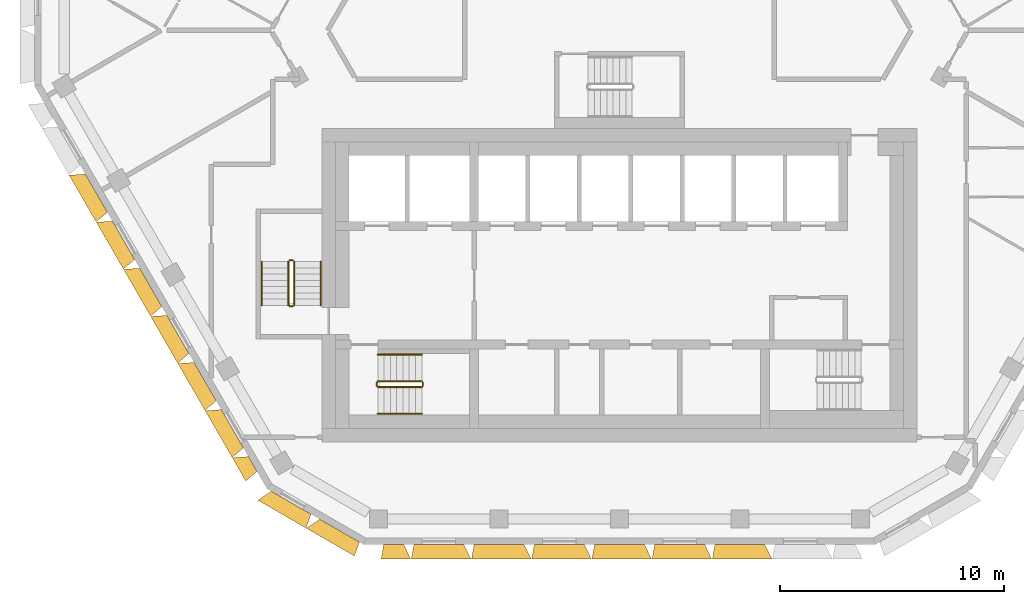
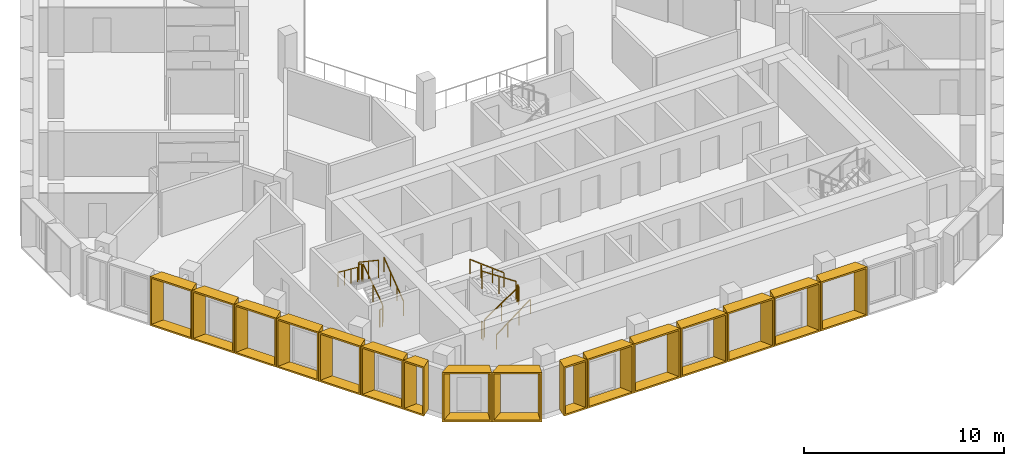
# One storey, part 11 of 15: 16 shading devices, 12 railings.
"""IFC4 building model written with IfcOpenShell, lengths in metres."""

from ifc_helpers import new_model, entity, si_unit, direction, frame, origin, origin_2d, place, context, subcontext, project, spatial, rectangle, extrude, source, transform, mapped, material, type_object, type_shapes, element, save


model = new_model("IFC4")

# Units and contexts
model_context = context("Model", 3, precision=1e-05, world=origin(), true_north=direction((0.0, 1.0)))
body_context = subcontext(model_context, "Body", "Model", "MODEL_VIEW")
ifc_project = project(units=[si_unit("LENGTHUNIT", "METRE"), si_unit("AREAUNIT", "SQUARE_METRE"), si_unit("VOLUMEUNIT", "CUBIC_METRE"), si_unit("PLANEANGLEUNIT", "RADIAN"), si_unit("MASSUNIT", "GRAM", prefix="KILO")], contexts=[model_context])

# Site, building, storey
site_placement = place(None, origin())
site = spatial("IfcSite", under=ifc_project, at=site_placement, CompositionType="ELEMENT")
building_placement = place(site_placement, origin())
building = spatial("IfcBuilding", under=site, at=building_placement, Name="Beryl Residences", CompositionType="ELEMENT")
storey_placement = place(building_placement, frame((0.0, 0.0, 187.199951171875)))
storey = spatial("IfcBuildingStorey", under=building, at=storey_placement, Name="L57", CompositionType="ELEMENT", Elevation=187.199951171875)

# Shading devices
ifc_material_1 = material(Name="Aluminium pale anodised", Category="aluminium")
shading_device_type_1 = type_object("IfcShadingDeviceType", Name="FR122-65B OUTER SKIN frame 650 mm deep, splay 26/10 deg, 1220 x 3000 mm cell", PredefinedType="USERDEFINED", material=ifc_material_1)
cartesian_point_1 = entity("IfcCartesianPoint", [-0.384033203125, 0.0])
cartesian_point_2 = entity("IfcCartesianPoint", [-0.294921875, 0.10009765625])
cartesian_point_3 = entity("IfcCartesianPoint", [-0.700927734375, 0.0])
cartesian_point_4 = entity("IfcCartesianPoint", [-0.612060546875, 0.10009765625])
shared_shape_1 = source(origin(), body_context, "Body", "SweptSolid", [
    entity("IfcExtrudedAreaSolidTapered", entity("IfcArbitraryProfileDefWithVoids", "AREA", None, entity("IfcPolyline", [cartesian_point_1, entity("IfcCartesianPoint", [0.384033203125, 0.0]), entity("IfcCartesianPoint", [0.384033203125, 3.0]), entity("IfcCartesianPoint", [-0.384033203125, 3.0]), cartesian_point_1]), [entity("IfcPolyline", [cartesian_point_2, entity("IfcCartesianPoint", [0.302734375, 0.10009765625]), entity("IfcCartesianPoint", [0.302734375, 2.89990234375]), entity("IfcCartesianPoint", [-0.294921875, 2.89990234375]), cartesian_point_2])]), entity("IfcAxis2Placement3D", entity("IfcCartesianPoint", [0.0, 0.0, 0.0]), entity("IfcDirection", [0.0, 1.0, 0.0]), entity("IfcDirection", [-1.0, 0.0, 0.0])), entity("IfcDirection", [0.0, 0.0, 1.0]), 0.64990234375, entity("IfcArbitraryProfileDefWithVoids", "AREA", None, entity("IfcPolyline", [cartesian_point_3, entity("IfcCartesianPoint", [0.49853515625, 0.0]), entity("IfcCartesianPoint", [0.49853515625, 3.0]), entity("IfcCartesianPoint", [-0.700927734375, 3.0]), cartesian_point_3]), [entity("IfcPolyline", [cartesian_point_4, entity("IfcCartesianPoint", [0.41748046875, 0.10009765625]), entity("IfcCartesianPoint", [0.41748046875, 2.89990234375]), entity("IfcCartesianPoint", [-0.612060546875, 2.89990234375]), cartesian_point_4])])),
])
type_shapes(shading_device_type_1, [shared_shape_1])
shading_device_1_placement = place(storey_placement, frame((-16.39794921875, -19.9970703125, 0.0), z_axis=(0.0, 0.0, 1.0), x_axis=(-0.5, 0.866025403784, 0.0)))
element("IfcShadingDevice", 1, at=shading_device_1_placement, inside=storey, type_object=shading_device_type_1, Name="FR122-65B frame L57 SW 9", ObjectType="OUTER SKIN", PredefinedType="USERDEFINED", context=body_context, shape_type="MappedRepresentation", body=[
    mapped(shared_shape_1, transform((0.0, 0.0, 0.0))),
])
ifc_material_2 = material(Name="Aluminium pale anodised", Category="aluminium")
shading_device_type_2 = type_object("IfcShadingDeviceType", Name="FR135-65C OUTER SKIN frame 650 mm deep, splay 10/26 deg, 1350 x 3000 mm cell", PredefinedType="USERDEFINED", material=ifc_material_2)
cartesian_point_5 = entity("IfcCartesianPoint", [-0.448974609375, 0.0])
cartesian_point_6 = entity("IfcCartesianPoint", [-0.36767578125, 0.10009765625])
cartesian_point_7 = entity("IfcCartesianPoint", [-0.563720703125, 0.0])
cartesian_point_8 = entity("IfcCartesianPoint", [-0.482421875, 0.10009765625])
shared_shape_2 = source(origin(), body_context, "Body", "SweptSolid", [
    entity("IfcExtrudedAreaSolidTapered", entity("IfcArbitraryProfileDefWithVoids", "AREA", None, entity("IfcPolyline", [cartesian_point_5, entity("IfcCartesianPoint", [0.448974609375, 0.0]), entity("IfcCartesianPoint", [0.448974609375, 3.0]), entity("IfcCartesianPoint", [-0.448974609375, 3.0]), cartesian_point_5]), [entity("IfcPolyline", [cartesian_point_6, entity("IfcCartesianPoint", [0.360107421875, 0.10009765625]), entity("IfcCartesianPoint", [0.360107421875, 2.89990234375]), entity("IfcCartesianPoint", [-0.36767578125, 2.89990234375]), cartesian_point_6])]), entity("IfcAxis2Placement3D", entity("IfcCartesianPoint", [0.0, 0.0, 0.0]), entity("IfcDirection", [0.0, 1.0, 0.0]), entity("IfcDirection", [-1.0, 0.0, 0.0])), entity("IfcDirection", [0.0, 0.0, 1.0]), 0.64990234375, entity("IfcArbitraryProfileDefWithVoids", "AREA", None, entity("IfcPolyline", [cartesian_point_7, entity("IfcCartesianPoint", [0.76611328125, 0.0]), entity("IfcCartesianPoint", [0.76611328125, 3.0]), entity("IfcCartesianPoint", [-0.563720703125, 3.0]), cartesian_point_7]), [entity("IfcPolyline", [cartesian_point_8, entity("IfcCartesianPoint", [0.677001953125, 0.10009765625]), entity("IfcCartesianPoint", [0.677001953125, 2.89990234375]), entity("IfcCartesianPoint", [-0.482421875, 2.89990234375]), cartesian_point_8])])),
])
type_shapes(shading_device_type_2, [shared_shape_2])
shading_device_2_placement = place(storey_placement, frame((-10.093994140625, -23.60009765625, 0.0), z_axis=(0.0, 0.0, 1.0), x_axis=(-1.0, 0.0, 0.0)))
element("IfcShadingDevice", 2, at=shading_device_2_placement, inside=storey, type_object=shading_device_type_2, Name="FR135-65C frame L57 S 1", ObjectType="OUTER SKIN", PredefinedType="USERDEFINED", context=body_context, shape_type="MappedRepresentation", body=[
    mapped(shared_shape_2, transform((0.0, 0.0, 0.0))),
])
ifc_material_3 = material(Name="Aluminium pale anodised", Category="aluminium")
shading_device_type_3 = type_object("IfcShadingDeviceType", Name="FR243-65B OUTER SKIN frame 650 mm deep, splay 26/10 deg, 2430 x 3000 mm cell", PredefinedType="USERDEFINED", material=ifc_material_3)
cartesian_point_9 = entity("IfcCartesianPoint", [-0.989013671875, 0.0])
cartesian_point_10 = entity("IfcCartesianPoint", [-0.89990234375, 0.10009765625])
cartesian_point_11 = entity("IfcCartesianPoint", [-1.305908203125, 0.0])
cartesian_point_12 = entity("IfcCartesianPoint", [-1.217041015625, 0.10009765625])
shared_shape_3 = source(origin(), body_context, "Body", "SweptSolid", [
    entity("IfcExtrudedAreaSolidTapered", entity("IfcArbitraryProfileDefWithVoids", "AREA", None, entity("IfcPolyline", [cartesian_point_9, entity("IfcCartesianPoint", [0.989013671875, 0.0]), entity("IfcCartesianPoint", [0.989013671875, 3.0]), entity("IfcCartesianPoint", [-0.989013671875, 3.0]), cartesian_point_9]), [entity("IfcPolyline", [cartesian_point_10, entity("IfcCartesianPoint", [0.90771484375, 0.10009765625]), entity("IfcCartesianPoint", [0.90771484375, 2.89990234375]), entity("IfcCartesianPoint", [-0.89990234375, 2.89990234375]), cartesian_point_10])]), entity("IfcAxis2Placement3D", entity("IfcCartesianPoint", [0.0, 0.0, 0.0]), entity("IfcDirection", [0.0, 1.0, 0.0]), entity("IfcDirection", [-1.0, 0.0, 0.0])), entity("IfcDirection", [0.0, 0.0, 1.0]), 0.64990234375, entity("IfcArbitraryProfileDefWithVoids", "AREA", None, entity("IfcPolyline", [cartesian_point_11, entity("IfcCartesianPoint", [1.103515625, 0.0]), entity("IfcCartesianPoint", [1.103515625, 3.0]), entity("IfcCartesianPoint", [-1.305908203125, 3.0]), cartesian_point_11]), [entity("IfcPolyline", [cartesian_point_12, entity("IfcCartesianPoint", [1.0224609375, 0.10009765625]), entity("IfcCartesianPoint", [1.0224609375, 2.89990234375]), entity("IfcCartesianPoint", [-1.217041015625, 2.89990234375]), cartesian_point_12])])),
])
type_shapes(shading_device_type_3, [shared_shape_3])
for number, where, z_axis, x_axis, name in (
    (3, (-23.388916015625, -7.886962890625, 0.0), (0.0, 0.0, 1.0), (-0.5, 0.866025403784, 0.0), "FR243-65B frame L57 SW 3"),
    (4, (-22.173095703125, -9.992919921875, 0.0), (0.0, 0.0, 1.0), (-0.5, 0.866025403784, 0.0), "FR243-65B frame L57 SW 4"),
    (5, (-20.95703125, -12.09912109375, 0.0), (0.0, 0.0, 1.0), (-0.5, 0.866025403784, 0.0), "FR243-65B frame L57 SW 5"),
    (6, (-19.741943359375, -14.205078125, 0.0), (0.0, 0.0, 1.0), (-0.5, 0.866025403784, 0.0), "FR243-65B frame L57 SW 6"),
    (7, (-18.52587890625, -16.31103515625, 0.0), (0.0, 0.0, 1.0), (-0.5, 0.866025403784, 0.0), "FR243-65B frame L57 SW 7"),
    (8, (-17.31005859375, -18.41796875, 0.0), (0.0, 0.0, 1.0), (-0.5, 0.866025403784, 0.0), "FR243-65B frame L57 SW 8"),
):
    element("IfcShadingDevice", number, at=place(storey_placement, frame(where, z_axis=z_axis, x_axis=x_axis)), inside=storey, type_object=shading_device_type_3, Name=name, ObjectType="OUTER SKIN", PredefinedType="USERDEFINED", context=body_context, shape_type="MappedRepresentation", body=[
        mapped(shared_shape_3, transform((0.0, 0.0, 0.0))),
    ])
ifc_material_4 = material(Name="Aluminium pale anodised", Category="aluminium")
shading_device_type_4 = type_object("IfcShadingDeviceType", Name="FR250-65B OUTER SKIN frame 650 mm deep, splay 26/10 deg, 2500 x 3000 mm cell", PredefinedType="USERDEFINED", material=ifc_material_4)
cartesian_point_13 = entity("IfcCartesianPoint", [-1.02392578125, 0.0])
cartesian_point_14 = entity("IfcCartesianPoint", [-0.93505859375, 0.10009765625])
cartesian_point_15 = entity("IfcCartesianPoint", [-1.341064453125, 0.0])
cartesian_point_16 = entity("IfcCartesianPoint", [-1.251953125, 0.10009765625])
shared_shape_4 = source(origin(), body_context, "Body", "SweptSolid", [
    entity("IfcExtrudedAreaSolidTapered", entity("IfcArbitraryProfileDefWithVoids", "AREA", None, entity("IfcPolyline", [cartesian_point_13, entity("IfcCartesianPoint", [1.02392578125, 0.0]), entity("IfcCartesianPoint", [1.02392578125, 3.0]), entity("IfcCartesianPoint", [-1.02392578125, 3.0]), cartesian_point_13]), [entity("IfcPolyline", [cartesian_point_14, entity("IfcCartesianPoint", [0.94287109375, 0.10009765625]), entity("IfcCartesianPoint", [0.94287109375, 2.89990234375]), entity("IfcCartesianPoint", [-0.93505859375, 2.89990234375]), cartesian_point_14])]), entity("IfcAxis2Placement3D", entity("IfcCartesianPoint", [0.0, 0.0, 0.0]), entity("IfcDirection", [0.0, 1.0, 0.0]), entity("IfcDirection", [-1.0, 0.0, 0.0])), entity("IfcDirection", [0.0, 0.0, 1.0]), 0.64990234375, entity("IfcArbitraryProfileDefWithVoids", "AREA", None, entity("IfcPolyline", [cartesian_point_15, entity("IfcCartesianPoint", [1.138671875, 0.0]), entity("IfcCartesianPoint", [1.138671875, 3.0]), entity("IfcCartesianPoint", [-1.341064453125, 3.0]), cartesian_point_15]), [entity("IfcPolyline", [cartesian_point_16, entity("IfcCartesianPoint", [1.057373046875, 0.10009765625]), entity("IfcCartesianPoint", [1.057373046875, 2.89990234375]), entity("IfcCartesianPoint", [-1.251953125, 2.89990234375]), cartesian_point_16])])),
])
type_shapes(shading_device_type_4, [shared_shape_4])
for number, where, z_axis, x_axis, name in (
    (9, (-14.677978515625, -21.72509765625, 0.0), (0.0, 0.0, 1.0), (-0.866025403784, 0.5, 0.0), "FR250-65B frame L57 SW-S 1"),
    (10, (-12.513916015625, -22.97509765625, 0.0), (0.0, 0.0, 1.0), (-0.866025403784, 0.5, 0.0), "FR250-65B frame L57 SW-S 2"),
):
    element("IfcShadingDevice", number, at=place(storey_placement, frame(where, z_axis=z_axis, x_axis=x_axis)), inside=storey, type_object=shading_device_type_4, Name=name, ObjectType="OUTER SKIN", PredefinedType="USERDEFINED", context=body_context, shape_type="MappedRepresentation", body=[
        mapped(shared_shape_4, transform((0.0, 0.0, 0.0))),
    ])
ifc_material_5 = material(Name="Aluminium pale anodised", Category="aluminium")
shading_device_type_5 = type_object("IfcShadingDeviceType", Name="FR269-65C OUTER SKIN frame 650 mm deep, splay 10/26 deg, 2690 x 3000 mm cell", PredefinedType="USERDEFINED", material=ifc_material_5)
cartesian_point_17 = entity("IfcCartesianPoint", [-1.118896484375, 0.0])
cartesian_point_18 = entity("IfcCartesianPoint", [-1.037841796875, 0.10009765625])
cartesian_point_19 = entity("IfcCartesianPoint", [-1.233642578125, 0.0])
cartesian_point_20 = entity("IfcCartesianPoint", [-1.15234375, 0.10009765625])
shared_shape_5 = source(origin(), body_context, "Body", "SweptSolid", [
    entity("IfcExtrudedAreaSolidTapered", entity("IfcArbitraryProfileDefWithVoids", "AREA", None, entity("IfcPolyline", [cartesian_point_17, entity("IfcCartesianPoint", [1.118896484375, 0.0]), entity("IfcCartesianPoint", [1.118896484375, 3.0]), entity("IfcCartesianPoint", [-1.118896484375, 3.0]), cartesian_point_17]), [entity("IfcPolyline", [cartesian_point_18, entity("IfcCartesianPoint", [1.030029296875, 0.10009765625]), entity("IfcCartesianPoint", [1.030029296875, 2.89990234375]), entity("IfcCartesianPoint", [-1.037841796875, 2.89990234375]), cartesian_point_18])]), entity("IfcAxis2Placement3D", entity("IfcCartesianPoint", [0.0, 0.0, 0.0]), entity("IfcDirection", [0.0, 1.0, 0.0]), entity("IfcDirection", [-1.0, 0.0, 0.0])), entity("IfcDirection", [0.0, 0.0, 1.0]), 0.64990234375, entity("IfcArbitraryProfileDefWithVoids", "AREA", None, entity("IfcPolyline", [cartesian_point_19, entity("IfcCartesianPoint", [1.43603515625, 0.0]), entity("IfcCartesianPoint", [1.43603515625, 3.0]), entity("IfcCartesianPoint", [-1.233642578125, 3.0]), cartesian_point_19]), [entity("IfcPolyline", [cartesian_point_20, entity("IfcCartesianPoint", [1.346923828125, 0.10009765625]), entity("IfcCartesianPoint", [1.346923828125, 2.89990234375]), entity("IfcCartesianPoint", [-1.15234375, 2.89990234375]), cartesian_point_20])])),
])
type_shapes(shading_device_type_5, [shared_shape_5])
for number, where, z_axis, x_axis, name in (
    (11, (-8.074951171875, -23.60009765625, 0.0), (0.0, 0.0, 1.0), (-1.0, 0.0, 0.0), "FR269-65C frame L57 S 2"),
    (12, (-5.383056640625, -23.60009765625, 0.0), (0.0, 0.0, 1.0), (-1.0, 0.0, 0.0), "FR269-65C frame L57 S 3"),
    (13, (-2.69091796875, -23.60009765625, 0.0), (0.0, 0.0, 1.0), (-1.0, 0.0, 0.0), "FR269-65C frame L57 S 4"),
    (14, (0.0009765625, -23.60009765625, 0.0), (0.0, 0.0, 1.0), (-1.0, 0.0, 0.0), "FR269-65C frame L57 S 5"),
    (15, (2.693115234375, -23.60009765625, 0.0), (0.0, 0.0, 1.0), (-1.0, 0.0, 0.0), "FR269-65C frame L57 S 6"),
    (16, (5.385009765625, -23.60009765625, 0.0), (0.0, 0.0, 1.0), (-1.0, 0.0, 0.0), "FR269-65C frame L57 S 7"),
):
    element("IfcShadingDevice", number, at=place(storey_placement, frame(where, z_axis=z_axis, x_axis=x_axis)), inside=storey, type_object=shading_device_type_5, Name=name, ObjectType="OUTER SKIN", PredefinedType="USERDEFINED", context=body_context, shape_type="MappedRepresentation", body=[
        mapped(shared_shape_5, transform((0.0, 0.0, 0.0))),
    ])

# Railings
ifc_material_6 = material(Name="Stainless steel balustrade with glass infill", Category="steel")
railing_type_1 = type_object("IfcRailingType", Name="SG1 stair guard 1100 mm", PredefinedType="GUARDRAIL", material=ifc_material_6)
railing_1_placement = place(storey_placement, frame((-10.800048828125, -16.550048828125, 0.1875)))
element("IfcRailing", 17, at=railing_1_placement, inside=storey, type_object=railing_type_1, Name="L57 ST-1 stair guard 1", PredefinedType="GUARDRAIL", context=body_context, shape_type="SweptSolid", body=[
    extrude(rectangle(XDim=0.048095703125, YDim=0.048095703125, at=origin_2d()), frame((0.0, 0.0, 1.076171875), z_axis=(0.830902050051, 0.0, 0.556418712142), x_axis=(0.0, 1.0, 0.0)), (0.0, 0.0, 1.0), 2.35888671875),
    extrude(rectangle(XDim=0.0419921875, YDim=0.0419921875, at=origin_2d()), origin(), (0.0, 0.0, 1.0), 1.052001953125),
    extrude(rectangle(XDim=0.0419921875, YDim=0.0419921875, at=origin_2d()), frame((0.97998046875, 0.0, 0.65625)), (0.0, 0.0, 1.0), 1.052001953125),
    extrude(rectangle(XDim=0.0419921875, YDim=0.0419921875, at=origin_2d()), frame((1.9599609375, 0.0, 1.3125)), (0.0, 0.0, 1.0), 1.052001953125),
])
railing_2_placement = place(storey_placement, frame((-8.7900390625, -16.5, 1.5)))
element("IfcRailing", 18, at=railing_2_placement, inside=storey, type_object=railing_type_1, Name="L57 ST-1 stair guard 2", PredefinedType="GUARDRAIL", context=body_context, shape_type="SweptSolid", body=[
    extrude(rectangle(XDim=0.048095703125, YDim=0.048095703125, at=origin_2d()), frame((0.0, 0.0, 1.076171875), z_axis=(0.0, 1.0, 0.0), x_axis=(-1.0, 0.0, 0.0)), (0.0, 0.0, 1.0), 0.14990234375),
    extrude(rectangle(XDim=0.0419921875, YDim=0.0419921875, at=origin_2d()), origin(), (0.0, 0.0, 1.0), 1.052001953125),
    extrude(rectangle(XDim=0.0419921875, YDim=0.0419921875, at=origin_2d()), frame((0.0, 0.14990234375, 0.0)), (0.0, 0.0, 1.0), 1.052001953125),
])
railing_3_placement = place(storey_placement, frame((-8.840087890625, -16.300048828125, 1.6875)))
element("IfcRailing", 19, at=railing_3_placement, inside=storey, type_object=railing_type_1, Name="L57 ST-1 stair guard 3", PredefinedType="GUARDRAIL", context=body_context, shape_type="SweptSolid", body=[
    extrude(rectangle(XDim=0.048095703125, YDim=0.048095703125, at=origin_2d()), frame((0.0, 0.0, 1.076171875), z_axis=(-0.830902050051, 0.0, 0.556418712142), x_axis=(0.0, -1.0, 0.0)), (0.0, 0.0, 1.0), 2.35888671875),
    extrude(rectangle(XDim=0.0419921875, YDim=0.0419921875, at=origin_2d()), origin(), (0.0, 0.0, 1.0), 1.052001953125),
    extrude(rectangle(XDim=0.0419921875, YDim=0.0419921875, at=origin_2d()), frame((-0.97998046875, 0.0, 0.65625)), (0.0, 0.0, 1.0), 1.052001953125),
    extrude(rectangle(XDim=0.0419921875, YDim=0.0419921875, at=origin_2d()), frame((-1.9599609375, 0.0, 1.3125)), (0.0, 0.0, 1.0), 1.052001953125),
])
railing_4_placement = place(storey_placement, frame((-10.85009765625, -16.5, 0.0)))
element("IfcRailing", 20, at=railing_4_placement, inside=storey, type_object=railing_type_1, Name="L57 ST-1 stair guard 4", PredefinedType="GUARDRAIL", context=body_context, shape_type="SweptSolid", body=[
    extrude(rectangle(XDim=0.048095703125, YDim=0.048095703125, at=origin_2d()), frame((0.0, 0.0, 1.076171875), z_axis=(0.0, 1.0, 0.0), x_axis=(-1.0, 0.0, 0.0)), (0.0, 0.0, 1.0), 0.14990234375),
    extrude(rectangle(XDim=0.0419921875, YDim=0.0419921875, at=origin_2d()), origin(), (0.0, 0.0, 1.0), 1.052001953125),
    extrude(rectangle(XDim=0.0419921875, YDim=0.0419921875, at=origin_2d()), frame((0.0, 0.14990234375, 0.0)), (0.0, 0.0, 1.0), 1.052001953125),
])
railing_5_placement = place(storey_placement, frame((-14.550048828125, -12.89990234375, 0.1875)))
element("IfcRailing", 21, at=railing_5_placement, inside=storey, type_object=railing_type_1, Name="L57 ST-2 stair guard 1", PredefinedType="GUARDRAIL", context=body_context, shape_type="SweptSolid", body=[
    extrude(rectangle(XDim=0.048095703125, YDim=0.048095703125, at=origin_2d()), frame((0.0, 0.0, 1.076171875), z_axis=(0.0, 0.830902050051, 0.556418712142), x_axis=(-1.0, 0.0, 0.0)), (0.0, 0.0, 1.0), 2.35888671875),
    extrude(rectangle(XDim=0.0419921875, YDim=0.0419921875, at=origin_2d()), origin(), (0.0, 0.0, 1.0), 1.052001953125),
    extrude(rectangle(XDim=0.0419921875, YDim=0.0419921875, at=origin_2d()), frame((0.0, 0.97998046875, 0.65625)), (0.0, 0.0, 1.0), 1.052001953125),
    extrude(rectangle(XDim=0.0419921875, YDim=0.0419921875, at=origin_2d()), frame((0.0, 1.9599609375, 1.3125)), (0.0, 0.0, 1.0), 1.052001953125),
])
railing_6_placement = place(storey_placement, frame((-14.60009765625, -10.889892578125, 1.5)))
element("IfcRailing", 22, at=railing_6_placement, inside=storey, type_object=railing_type_1, Name="L57 ST-2 stair guard 2", PredefinedType="GUARDRAIL", context=body_context, shape_type="SweptSolid", body=[
    extrude(rectangle(XDim=0.048095703125, YDim=0.048095703125, at=origin_2d()), frame((0.0, 0.0, 1.076171875), z_axis=(-1.0, 0.0, 0.0), x_axis=(0.0, -1.0, 0.0)), (0.0, 0.0, 1.0), 0.14990234375),
    extrude(rectangle(XDim=0.0419921875, YDim=0.0419921875, at=origin_2d()), origin(), (0.0, 0.0, 1.0), 1.052001953125),
    extrude(rectangle(XDim=0.0419921875, YDim=0.0419921875, at=origin_2d()), frame((-0.14990234375, 0.0, 0.0)), (0.0, 0.0, 1.0), 1.052001953125),
])
railing_7_placement = place(storey_placement, frame((-14.800048828125, -10.93994140625, 1.6875)))
element("IfcRailing", 23, at=railing_7_placement, inside=storey, type_object=railing_type_1, Name="L57 ST-2 stair guard 3", PredefinedType="GUARDRAIL", context=body_context, shape_type="SweptSolid", body=[
    extrude(rectangle(XDim=0.048095703125, YDim=0.048095703125, at=origin_2d()), frame((0.0, 0.0, 1.076171875), z_axis=(0.0, -0.830902050051, 0.556418712142), x_axis=(1.0, 0.0, 0.0)), (0.0, 0.0, 1.0), 2.35888671875),
    extrude(rectangle(XDim=0.0419921875, YDim=0.0419921875, at=origin_2d()), origin(), (0.0, 0.0, 1.0), 1.052001953125),
    extrude(rectangle(XDim=0.0419921875, YDim=0.0419921875, at=origin_2d()), frame((0.0, -0.97998046875, 0.65625)), (0.0, 0.0, 1.0), 1.052001953125),
    extrude(rectangle(XDim=0.0419921875, YDim=0.0419921875, at=origin_2d()), frame((0.0, -1.9599609375, 1.3125)), (0.0, 0.0, 1.0), 1.052001953125),
])
railing_8_placement = place(storey_placement, frame((-14.60009765625, -12.949951171875, 0.0)))
element("IfcRailing", 24, at=railing_8_placement, inside=storey, type_object=railing_type_1, Name="L57 ST-2 stair guard 4", PredefinedType="GUARDRAIL", context=body_context, shape_type="SweptSolid", body=[
    extrude(rectangle(XDim=0.048095703125, YDim=0.048095703125, at=origin_2d()), frame((0.0, 0.0, 1.076171875), z_axis=(-1.0, 0.0, 0.0), x_axis=(0.0, -1.0, 0.0)), (0.0, 0.0, 1.0), 0.14990234375),
    extrude(rectangle(XDim=0.0419921875, YDim=0.0419921875, at=origin_2d()), origin(), (0.0, 0.0, 1.0), 1.052001953125),
    extrude(rectangle(XDim=0.0419921875, YDim=0.0419921875, at=origin_2d()), frame((-0.14990234375, 0.0, 0.0)), (0.0, 0.0, 1.0), 1.052001953125),
])
ifc_material_7 = material(Name="Stainless steel handrail", Category="steel")
railing_type_2 = type_object("IfcRailingType", Name="SRL1 stair handrail 900 mm", PredefinedType="HANDRAIL", material=ifc_material_7)
railing_9_placement = place(storey_placement, frame((-10.800048828125, -17.75, 0.1875)))
element("IfcRailing", 25, at=railing_9_placement, inside=storey, type_object=railing_type_2, Name="L57 ST-1 stair handrail 1", PredefinedType="HANDRAIL", context=body_context, shape_type="SweptSolid", body=[
    extrude(rectangle(XDim=0.048095703125, YDim=0.048095703125, at=origin_2d()), frame((0.0, 0.0, 0.8759765625), z_axis=(0.794121922505, 0.0, 0.607758481798), x_axis=(0.0, 1.0, 0.0)), (0.0, 0.0, 1.0), 2.468017578125),
    extrude(rectangle(XDim=0.0419921875, YDim=0.0419921875, at=origin_2d()), origin(), (0.0, 0.0, 1.0), 0.851806640625),
    extrude(rectangle(XDim=0.0419921875, YDim=0.0419921875, at=origin_2d()), frame((0.6533203125, 0.0, 0.5)), (0.0, 0.0, 1.0), 0.851806640625),
    extrude(rectangle(XDim=0.0419921875, YDim=0.0419921875, at=origin_2d()), frame((1.306640625, 0.0, 1.0)), (0.0, 0.0, 1.0), 0.851806640625),
    extrude(rectangle(XDim=0.0419921875, YDim=0.0419921875, at=origin_2d()), frame((1.9599609375, 0.0, 1.5)), (0.0, 0.0, 1.0), 0.851806640625),
])
railing_10_placement = place(storey_placement, frame((-8.840087890625, -15.10009765625, 1.6875)))
element("IfcRailing", 26, at=railing_10_placement, inside=storey, type_object=railing_type_2, Name="L57 ST-1 stair handrail 2", PredefinedType="HANDRAIL", context=body_context, shape_type="SweptSolid", body=[
    extrude(rectangle(XDim=0.048095703125, YDim=0.048095703125, at=origin_2d()), frame((0.0, 0.0, 0.8759765625), z_axis=(-0.794121922505, 0.0, 0.607758481798), x_axis=(0.0, -1.0, 0.0)), (0.0, 0.0, 1.0), 2.468017578125),
    extrude(rectangle(XDim=0.0419921875, YDim=0.0419921875, at=origin_2d()), origin(), (0.0, 0.0, 1.0), 0.851806640625),
    extrude(rectangle(XDim=0.0419921875, YDim=0.0419921875, at=origin_2d()), frame((-0.6533203125, 0.0, 0.5)), (0.0, 0.0, 1.0), 0.851806640625),
    extrude(rectangle(XDim=0.0419921875, YDim=0.0419921875, at=origin_2d()), frame((-1.306640625, 0.0, 1.0)), (0.0, 0.0, 1.0), 0.851806640625),
    extrude(rectangle(XDim=0.0419921875, YDim=0.0419921875, at=origin_2d()), frame((-1.9599609375, 0.0, 1.5)), (0.0, 0.0, 1.0), 0.851806640625),
])
railing_11_placement = place(storey_placement, frame((-13.35009765625, -12.89990234375, 0.1875)))
element("IfcRailing", 27, at=railing_11_placement, inside=storey, type_object=railing_type_2, Name="L57 ST-2 stair handrail 1", PredefinedType="HANDRAIL", context=body_context, shape_type="SweptSolid", body=[
    extrude(rectangle(XDim=0.048095703125, YDim=0.048095703125, at=origin_2d()), frame((0.0, 0.0, 0.8759765625), z_axis=(0.0, 0.794121922505, 0.607758481798), x_axis=(-1.0, 0.0, 0.0)), (0.0, 0.0, 1.0), 2.468017578125),
    extrude(rectangle(XDim=0.0419921875, YDim=0.0419921875, at=origin_2d()), origin(), (0.0, 0.0, 1.0), 0.851806640625),
    extrude(rectangle(XDim=0.0419921875, YDim=0.0419921875, at=origin_2d()), frame((0.0, 0.6533203125, 0.5)), (0.0, 0.0, 1.0), 0.851806640625),
    extrude(rectangle(XDim=0.0419921875, YDim=0.0419921875, at=origin_2d()), frame((0.0, 1.306640625, 1.0)), (0.0, 0.0, 1.0), 0.851806640625),
    extrude(rectangle(XDim=0.0419921875, YDim=0.0419921875, at=origin_2d()), frame((0.0, 1.9599609375, 1.5)), (0.0, 0.0, 1.0), 0.851806640625),
])
railing_12_placement = place(storey_placement, frame((-16.0, -10.93994140625, 1.6875)))
element("IfcRailing", 28, at=railing_12_placement, inside=storey, type_object=railing_type_2, Name="L57 ST-2 stair handrail 2", PredefinedType="HANDRAIL", context=body_context, shape_type="SweptSolid", body=[
    extrude(rectangle(XDim=0.048095703125, YDim=0.048095703125, at=origin_2d()), frame((0.0, 0.0, 0.8759765625), z_axis=(0.0, -0.794121922505, 0.607758481798), x_axis=(1.0, 0.0, 0.0)), (0.0, 0.0, 1.0), 2.468017578125),
    extrude(rectangle(XDim=0.0419921875, YDim=0.0419921875, at=origin_2d()), origin(), (0.0, 0.0, 1.0), 0.851806640625),
    extrude(rectangle(XDim=0.0419921875, YDim=0.0419921875, at=origin_2d()), frame((0.0, -0.6533203125, 0.5)), (0.0, 0.0, 1.0), 0.851806640625),
    extrude(rectangle(XDim=0.0419921875, YDim=0.0419921875, at=origin_2d()), frame((0.0, -1.306640625, 1.0)), (0.0, 0.0, 1.0), 0.851806640625),
    extrude(rectangle(XDim=0.0419921875, YDim=0.0419921875, at=origin_2d()), frame((0.0, -1.9599609375, 1.5)), (0.0, 0.0, 1.0), 0.851806640625),
])

save(model, "model.ifc")
